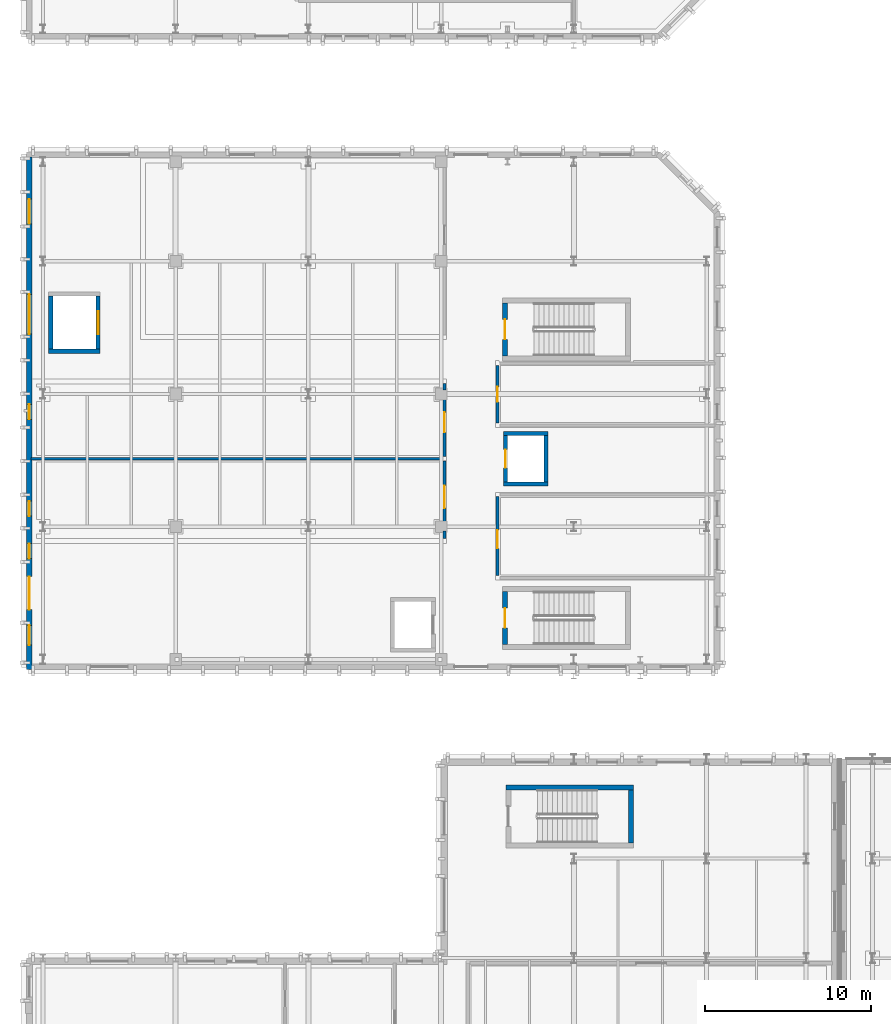
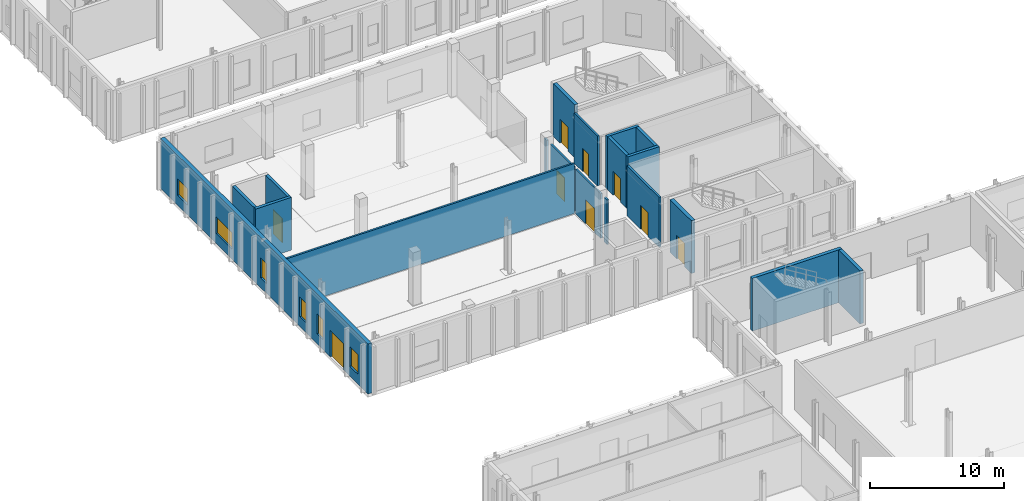
# One storey, part 24 of 60: 19 walls, 9 doors, 6 windows, 15 openings.
"""IFC4 building model written with IfcOpenShell, lengths in metres."""

from ifc_helpers import new_model, si_unit, direction, frame, frame_2d, origin, place, context, subcontext, project, spatial, rectangle, extrude, material, layer, layer_set, type_object, element, fill, save


model = new_model("IFC4")

# Units and contexts
model_context = context("Model", 3, precision=1e-05, world=origin(), true_north=direction((0.0, 1.0)))
body_context = subcontext(model_context, "Body", "Model", "MODEL_VIEW")
ifc_project = project(units=[si_unit("LENGTHUNIT", "METRE"), si_unit("AREAUNIT", "SQUARE_METRE"), si_unit("VOLUMEUNIT", "CUBIC_METRE"), si_unit("PLANEANGLEUNIT", "RADIAN"), si_unit("MASSUNIT", "GRAM", prefix="KILO")], contexts=[model_context])

# Site, building, storey
site_placement = place(None, origin())
site = spatial("IfcSite", under=ifc_project, at=site_placement, CompositionType="ELEMENT")
building_placement = place(site_placement, origin())
building = spatial("IfcBuilding", under=site, at=building_placement, Name="Cymarion Research Institute", CompositionType="ELEMENT")
storey_placement = place(building_placement, origin())
storey = spatial("IfcBuildingStorey", under=building, at=storey_placement, Name="L00", CompositionType="ELEMENT", Elevation=0.0)

# Wall, openings, door, windows
ifc_material_1 = material(Name="Precast concrete C40/50", Category="concrete")
ifc_layer_1 = layer(ifc_material_1, 0.340087890625)
ifc_layer_set_1 = layer_set([ifc_layer_1], Name="Precast concrete C40/50")
wall_type_1 = type_object("IfcWallType", Name="EXTERIOR WALL EW-PC340 340MM", PredefinedType="SOLIDWALL", material=ifc_layer_set_1)
wall_1_placement = place(storey_placement, frame((5.77001953125, 77.778076171875, 0.0), z_axis=(0.0, 0.0, 1.0), x_axis=(0.0, -1.0, 0.0)))
wall_1 = element("IfcWall", 1, at=wall_1_placement, inside=storey, type_object=wall_type_1, Name="L00 V4 exterior wall EW-PC340 #69", PredefinedType="SOLIDWALL", context=body_context, shape_type="SweptSolid", body=[
    extrude(rectangle(XDim=30.878173828125, YDim=0.340087890625, at=frame_2d((15.43896484375, 0.0))), origin(), (0.0, 0.0, 1.0), 4.550048828125),
])
opening_1_placement = place(wall_1_placement, frame((25.278076171875, 0.0, 0.0)))
opening_1 = element("IfcOpeningElement", 2, at=opening_1_placement, cuts=wall_1, Name="Opening D-EX12", PredefinedType="OPENING", context=body_context, shape_type="SweptSolid", body=[
    extrude(rectangle(XDim=2.0, YDim=2.39990234375, at=frame_2d((1.0, 1.199951171875))), frame((0.0, 0.179931640625, 0.0), z_axis=(0.0, -1.0, 0.0), x_axis=(1.0, 0.0, 0.0)), (0.0, 0.0, 1.0), 0.360107421875),
])
opening_2_placement = place(wall_1_placement, frame((2.528076171875, 0.0, 0.89990234375)))
opening_2 = element("IfcOpeningElement", 3, at=opening_2_placement, cuts=wall_1, Name="Opening W16", PredefinedType="OPENING", context=body_context, shape_type="SweptSolid", body=[
    extrude(rectangle(XDim=1.5, YDim=1.5, at=frame_2d((0.75, 0.75))), frame((0.0, 0.179931640625, 0.0), z_axis=(0.0, -1.0, 0.0), x_axis=(1.0, 0.0, 0.0)), (0.0, 0.0, 1.0), 0.360107421875),
])
opening_3_placement = place(wall_1_placement, frame((8.27294921875, 0.0, 0.89990234375)))
opening_3 = element("IfcOpeningElement", 4, at=opening_3_placement, cuts=wall_1, Name="Opening W18", PredefinedType="OPENING", context=body_context, shape_type="SweptSolid", body=[
    extrude(rectangle(XDim=2.39990234375, YDim=1.5, at=frame_2d((1.199951171875, 0.75))), frame((0.0, 0.179931640625, 0.0), z_axis=(0.0, -1.0, 0.0), x_axis=(1.0, 0.0, 0.0)), (0.0, 0.0, 1.0), 0.360107421875),
])
opening_4_placement = place(wall_1_placement, frame((14.89794921875, 0.0, 0.89990234375)))
opening_4 = element("IfcOpeningElement", 5, at=opening_4_placement, cuts=wall_1, Name="Opening W24", PredefinedType="OPENING", context=body_context, shape_type="SweptSolid", body=[
    extrude(rectangle(XDim=0.89990234375, YDim=1.800048828125, at=frame_2d((0.449951171875, 0.89990234375))), frame((0.0, 0.179931640625, 0.0), z_axis=(0.0, -1.0, 0.0), x_axis=(1.0, 0.0, 0.0)), (0.0, 0.0, 1.0), 0.360107421875),
])
opening_5_placement = place(wall_1_placement, frame((20.73291015625, 0.0, 0.89990234375)))
opening_5 = element("IfcOpeningElement", 6, at=opening_5_placement, cuts=wall_1, Name="Opening W24", PredefinedType="OPENING", context=body_context, shape_type="SweptSolid", body=[
    extrude(rectangle(XDim=0.89990234375, YDim=1.800048828125, at=frame_2d((0.449951171875, 0.89990234375))), frame((0.0, 0.179931640625, 0.0), z_axis=(0.0, -1.0, 0.0), x_axis=(1.0, 0.0, 0.0)), (0.0, 0.0, 1.0), 0.360107421875),
])
opening_6_placement = place(wall_1_placement, frame((23.29296875, 0.0, 0.89990234375)))
opening_6 = element("IfcOpeningElement", 7, at=opening_6_placement, cuts=wall_1, Name="Opening W24", PredefinedType="OPENING", context=body_context, shape_type="SweptSolid", body=[
    extrude(rectangle(XDim=0.89990234375, YDim=1.800048828125, at=frame_2d((0.449951171875, 0.89990234375))), frame((0.0, 0.179931640625, 0.0), z_axis=(0.0, -1.0, 0.0), x_axis=(1.0, 0.0, 0.0)), (0.0, 0.0, 1.0), 0.360107421875),
])
opening_7_placement = place(wall_1_placement, frame((28.212890625, 0.0, 0.89990234375)))
opening_7 = element("IfcOpeningElement", 8, at=opening_7_placement, cuts=wall_1, Name="Opening W01", PredefinedType="OPENING", context=body_context, shape_type="SweptSolid", body=[
    extrude(rectangle(XDim=1.199951171875, YDim=1.800048828125, at=frame_2d((0.60009765625, 0.89990234375))), frame((0.0, 0.179931640625, 0.0), z_axis=(0.0, -1.0, 0.0), x_axis=(1.0, 0.0, 0.0)), (0.0, 0.0, 1.0), 0.360107421875),
])
ifc_material_2 = material(Name="Thermally broken anodised aluminium glazed door", Category="aluminium")
door_type_1 = type_object("IfcDoorType", Name="GLAZED ALUMINIUM DOUBLE EXIT DOOR DT-EX200 2000X2400", OperationType="DOUBLE_DOOR_SINGLE_SWING", PredefinedType="DOOR", material=ifc_material_2)
door_1_placement = place(opening_1_placement, frame((2.0, 0.0, 0.0), z_axis=(0.0, 0.0, 1.0), x_axis=(-1.0, 0.0, 0.0)))
door_1 = element("IfcDoor", 9, at=door_1_placement, inside=storey, type_object=door_type_1, Name="L00 V4 Final Exit Door D-EX12", OperationType="DOUBLE_DOOR_SINGLE_SWING", OverallHeight=2.39990234375, OverallWidth=2.0, PredefinedType="DOOR", context=body_context, shape_type="SweptSolid", body=[
    extrude(rectangle(XDim=2.0, YDim=2.39990234375, at=frame_2d((1.0, 1.199951171875))), frame((0.0, 0.02490234375, 0.0), z_axis=(0.0, -1.0, 0.0), x_axis=(1.0, 0.0, 0.0)), (0.0, 0.0, 1.0), 0.050048828125),
])
fill(opening_1, door_1)
ifc_material_3 = material(Name="Thermally broken aluminium window with Low-E glazing", Category="aluminium")
window_type_1 = type_object("IfcWindowType", Name="THERMALLY BROKEN ALUMINIUM WINDOW W01 1200X1800", PartitioningType="SINGLE_PANEL", PredefinedType="WINDOW", material=ifc_material_3)
window_1_placement = place(opening_7_placement, origin())
window_1 = element("IfcWindow", 10, at=window_1_placement, inside=storey, type_object=window_type_1, Name="L00 V4 facade window W01 #118", OverallHeight=1.800048828125, OverallWidth=1.199951171875, PartitioningType="SINGLE_PANEL", PredefinedType="WINDOW", context=body_context, shape_type="SweptSolid", body=[
    extrude(rectangle(XDim=1.199951171875, YDim=1.800048828125, at=frame_2d((0.60009765625, 0.89990234375))), frame((0.0, 0.030029296875, 0.0), z_axis=(0.0, -1.0, 0.0), x_axis=(1.0, 0.0, 0.0)), (0.0, 0.0, 1.0), 0.06005859375),
])
fill(opening_7, window_1)
window_type_2 = type_object("IfcWindowType", Name="THERMALLY BROKEN ALUMINIUM WINDOW W16 1500X1500", PartitioningType="DOUBLE_PANEL_HORIZONTAL", PredefinedType="WINDOW", material=ifc_material_3)
window_2_placement = place(opening_2_placement, origin())
window_2 = element("IfcWindow", 11, at=window_2_placement, inside=storey, type_object=window_type_2, Name="L00 V4 facade window W16 #113", OverallHeight=1.5, OverallWidth=1.5, PartitioningType="SINGLE_PANEL", PredefinedType="WINDOW", context=body_context, shape_type="SweptSolid", body=[
    extrude(rectangle(XDim=1.5, YDim=1.5, at=frame_2d((0.75, 0.75))), frame((0.0, 0.030029296875, 0.0), z_axis=(0.0, -1.0, 0.0), x_axis=(1.0, 0.0, 0.0)), (0.0, 0.0, 1.0), 0.06005859375),
])
fill(opening_2, window_2)
window_type_3 = type_object("IfcWindowType", Name="THERMALLY BROKEN ALUMINIUM WINDOW W18 2400X1500", PartitioningType="TRIPLE_PANEL_HORIZONTAL", PredefinedType="WINDOW", material=ifc_material_3)
window_3_placement = place(opening_3_placement, origin())
window_3 = element("IfcWindow", 12, at=window_3_placement, inside=storey, type_object=window_type_3, Name="L00 V4 facade window W18 #114", OverallHeight=1.5, OverallWidth=2.39990234375, PartitioningType="SINGLE_PANEL", PredefinedType="WINDOW", context=body_context, shape_type="SweptSolid", body=[
    extrude(rectangle(XDim=2.39990234375, YDim=1.5, at=frame_2d((1.199951171875, 0.75))), frame((0.0, 0.030029296875, 0.0), z_axis=(0.0, -1.0, 0.0), x_axis=(1.0, 0.0, 0.0)), (0.0, 0.0, 1.0), 0.06005859375),
])
fill(opening_3, window_3)
window_type_4 = type_object("IfcWindowType", Name="THERMALLY BROKEN ALUMINIUM WINDOW W24 900X1800", PartitioningType="SINGLE_PANEL", PredefinedType="WINDOW", material=ifc_material_3)
window_4_placement = place(opening_4_placement, origin())
window_4 = element("IfcWindow", 13, at=window_4_placement, inside=storey, type_object=window_type_4, Name="L00 V4 facade window W24 #115", OverallHeight=1.800048828125, OverallWidth=0.89990234375, PartitioningType="SINGLE_PANEL", PredefinedType="WINDOW", context=body_context, shape_type="SweptSolid", body=[
    extrude(rectangle(XDim=0.89990234375, YDim=1.800048828125, at=frame_2d((0.449951171875, 0.89990234375))), frame((0.0, 0.030029296875, 0.0), z_axis=(0.0, -1.0, 0.0), x_axis=(1.0, 0.0, 0.0)), (0.0, 0.0, 1.0), 0.06005859375),
])
fill(opening_4, window_4)
window_5_placement = place(opening_5_placement, origin())
window_5 = element("IfcWindow", 14, at=window_5_placement, inside=storey, type_object=window_type_4, Name="L00 V4 facade window W24 #116", OverallHeight=1.800048828125, OverallWidth=0.89990234375, PartitioningType="SINGLE_PANEL", PredefinedType="WINDOW", context=body_context, shape_type="SweptSolid", body=[
    extrude(rectangle(XDim=0.89990234375, YDim=1.800048828125, at=frame_2d((0.449951171875, 0.89990234375))), frame((0.0, 0.030029296875, 0.0), z_axis=(0.0, -1.0, 0.0), x_axis=(1.0, 0.0, 0.0)), (0.0, 0.0, 1.0), 0.06005859375),
])
fill(opening_5, window_5)
window_6_placement = place(opening_6_placement, origin())
window_6 = element("IfcWindow", 15, at=window_6_placement, inside=storey, type_object=window_type_4, Name="L00 V4 facade window W24 #117", OverallHeight=1.800048828125, OverallWidth=0.89990234375, PartitioningType="SINGLE_PANEL", PredefinedType="WINDOW", context=body_context, shape_type="SweptSolid", body=[
    extrude(rectangle(XDim=0.89990234375, YDim=1.800048828125, at=frame_2d((0.449951171875, 0.89990234375))), frame((0.0, 0.030029296875, 0.0), z_axis=(0.0, -1.0, 0.0), x_axis=(1.0, 0.0, 0.0)), (0.0, 0.0, 1.0), 0.06005859375),
])
fill(opening_6, window_6)

# Walls
ifc_material_4 = material(Name="ISO cleanroom modular flush panel wall", Category="metal")
ifc_layer_2 = layer(ifc_material_4, 0.159912109375)
ifc_layer_set_2 = layer_set([ifc_layer_2], Name="ISO cleanroom modular flush panel wall")
wall_type_2 = type_object("IfcWallType", Name="INTERIOR PARTITION IW-CL160 160MM", PredefinedType="PARTITIONING", material=ifc_layer_set_2)
wall_2_placement = place(storey_placement, frame((5.885009765625, 59.60009765625, 0.0), z_axis=(0.0, 0.0, 1.0), x_axis=(1.0, 0.0, 0.0)))
element("IfcWall", 16, at=wall_2_placement, inside=storey, type_object=wall_type_2, Name="L00 V4 interior partition IW-CL160 #80", PredefinedType="PARTITIONING", context=body_context, shape_type="SweptSolid", body=[
    extrude(rectangle(XDim=24.764892578125, YDim=0.159912109375, at=frame_2d((12.38232421875, 0.0))), origin(), (0.0, 0.0, 1.0), 4.550048828125),
])
wall_3_placement = place(storey_placement, frame((30.800048828125, 54.800048828125, 0.0), z_axis=(0.0, 0.0, 1.0), x_axis=(0.0, 1.0, 0.0)))
element("IfcWall", 17, at=wall_3_placement, inside=storey, type_object=wall_type_2, Name="L00 V4 interior partition IW-CL160 #81", PredefinedType="PARTITIONING", context=body_context, shape_type="SweptSolid", body=[
    extrude(rectangle(XDim=0.449951171875, YDim=0.159912109375, at=frame_2d((0.22509765625, 0.0))), origin(), (0.0, 0.0, 1.0), 4.050048828125),
])

# Wall, opening, door
wall_4_placement = place(storey_placement, frame((30.800048828125, 55.75, 0.0), z_axis=(0.0, 0.0, 1.0), x_axis=(0.0, 1.0, 0.0)))
wall_4 = element("IfcWall", 18, at=wall_4_placement, inside=storey, type_object=wall_type_2, Name="L00 V4 interior partition IW-CL160 #82", PredefinedType="PARTITIONING", context=body_context, shape_type="SweptSolid", body=[
    extrude(rectangle(XDim=3.699951171875, YDim=0.159912109375, at=frame_2d((1.85009765625, 0.0))), origin(), (0.0, 0.0, 1.0), 4.050048828125),
])
opening_8_placement = place(wall_4_placement, frame((0.873046875, 0.0, 0.0)))
opening_8 = element("IfcOpeningElement", 19, at=opening_8_placement, cuts=wall_4, Name="Opening D-L00-059", PredefinedType="OPENING", context=body_context, shape_type="SweptSolid", body=[
    extrude(rectangle(XDim=1.35009765625, YDim=2.14990234375, at=frame_2d((0.675048828125, 1.074951171875))), frame((0.0, 0.08984375, 0.0), z_axis=(0.0, -1.0, 0.0), x_axis=(1.0, 0.0, 0.0)), (0.0, 0.0, 1.0), 0.179931640625),
])
ifc_material_5 = material(Name="Flush acoustic timber/steel door assembly", Category="steel")
door_type_2 = type_object("IfcDoorType", Name="CLEANROOM GOWNING DOOR DT-CL135 1350X2150", OperationType="NOTDEFINED", PredefinedType="DOOR", material=ifc_material_5)
door_2_placement = place(opening_8_placement, origin())
door_2 = element("IfcDoor", 20, at=door_2_placement, inside=storey, type_object=door_type_2, Name="L00 Gowning Airlock door D-L00-059", OperationType="SINGLE_SWING_RIGHT", OverallHeight=2.14990234375, OverallWidth=1.35009765625, PredefinedType="DOOR", context=body_context, shape_type="SweptSolid", body=[
    extrude(rectangle(XDim=1.35009765625, YDim=2.14990234375, at=frame_2d((0.675048828125, 1.074951171875))), frame((0.0, 0.02490234375, 0.0), z_axis=(0.0, -1.0, 0.0), x_axis=(1.0, 0.0, 0.0)), (0.0, 0.0, 1.0), 0.050048828125),
])
fill(opening_8, door_2)

wall_5_placement = place(storey_placement, frame((30.800048828125, 59.75, 0.0), z_axis=(0.0, 0.0, 1.0), x_axis=(0.0, 1.0, 0.0)))
wall_5 = element("IfcWall", 21, at=wall_5_placement, inside=storey, type_object=wall_type_2, Name="L00 V4 interior partition IW-CL160 #83", PredefinedType="PARTITIONING", context=body_context, shape_type="SweptSolid", body=[
    extrude(rectangle(XDim=3.5, YDim=0.159912109375, at=frame_2d((1.75, 0.0))), origin(), (0.0, 0.0, 1.0), 4.050048828125),
])
opening_9_placement = place(wall_5_placement, frame((1.446044921875, 0.0, 0.0)))
opening_9 = element("IfcOpeningElement", 22, at=opening_9_placement, cuts=wall_5, Name="Opening D-L00-060", PredefinedType="OPENING", context=body_context, shape_type="SweptSolid", body=[
    extrude(rectangle(XDim=1.199951171875, YDim=2.14990234375, at=frame_2d((0.60009765625, 1.074951171875))), frame((0.0, 0.08984375, 0.0), z_axis=(0.0, -1.0, 0.0), x_axis=(1.0, 0.0, 0.0)), (0.0, 0.0, 1.0), 0.179931640625),
])
door_type_3 = type_object("IfcDoorType", Name="CLEANROOM AIRLOCK INTERLOCK DOOR DT-CL120 1200X2150", OperationType="NOTDEFINED", PredefinedType="DOOR", material=ifc_material_5)
door_3_placement = place(opening_9_placement, origin())
door_3 = element("IfcDoor", 23, at=door_3_placement, inside=storey, type_object=door_type_3, Name="L00 Cleanroom Bay door D-L00-060", OperationType="SINGLE_SWING_LEFT", OverallHeight=2.14990234375, OverallWidth=1.199951171875, PredefinedType="DOOR", context=body_context, shape_type="SweptSolid", body=[
    extrude(rectangle(XDim=1.199951171875, YDim=2.14990234375, at=frame_2d((0.60009765625, 1.074951171875))), frame((0.0, 0.02490234375, 0.0), z_axis=(0.0, -1.0, 0.0), x_axis=(1.0, 0.0, 0.0)), (0.0, 0.0, 1.0), 0.050048828125),
])
fill(opening_9, door_3)

# Wall
wall_6_placement = place(storey_placement, frame((30.800048828125, 63.75, 0.0), z_axis=(0.0, 0.0, 1.0), x_axis=(0.0, 1.0, 0.0)))
element("IfcWall", 24, at=wall_6_placement, inside=storey, type_object=wall_type_2, Name="L00 V4 interior partition IW-CL160 #84", PredefinedType="PARTITIONING", context=body_context, shape_type="SweptSolid", body=[
    extrude(rectangle(XDim=0.39990234375, YDim=0.159912109375, at=frame_2d((0.199951171875, 0.0))), origin(), (0.0, 0.0, 1.0), 4.050048828125),
])

# Wall, opening, door
ifc_material_6 = material(Name="Moisture-resistant laboratory partition", Category="gypsum")
ifc_layer_3 = layer(ifc_material_6, 0.179931640625)
ifc_layer_set_3 = layer_set([ifc_layer_3], Name="Moisture-resistant laboratory partition")
wall_type_3 = type_object("IfcWallType", Name="INTERIOR PARTITION IW-LB180 180MM", PredefinedType="PARTITIONING", material=ifc_layer_set_3)
wall_7_placement = place(storey_placement, frame((34.0, 52.550048828125, 0.0), z_axis=(0.0, 0.0, 1.0), x_axis=(0.0, 1.0, 0.0)))
wall_7 = element("IfcWall", 25, at=wall_7_placement, inside=storey, type_object=wall_type_3, Name="L00 V4 interior partition IW-LB180 #91", PredefinedType="PARTITIONING", context=body_context, shape_type="SweptSolid", body=[
    extrude(rectangle(XDim=4.77001953125, YDim=0.179931640625, at=frame_2d((2.385009765625, 0.0))), origin(), (0.0, 0.0, 1.0), 4.550048828125),
])
opening_10_placement = place(wall_7_placement, frame((1.652099609375, 0.0, 0.0)))
opening_10 = element("IfcOpeningElement", 26, at=opening_10_placement, cuts=wall_7, Name="Opening D-L00-062", PredefinedType="OPENING", context=body_context, shape_type="SweptSolid", body=[
    extrude(rectangle(XDim=1.10009765625, YDim=2.14990234375, at=frame_2d((0.550048828125, 1.074951171875))), frame((0.0, 0.099853515625, 0.0), z_axis=(0.0, -1.0, 0.0), x_axis=(1.0, 0.0, 0.0)), (0.0, 0.0, 1.0), 0.199951171875),
])
door_type_4 = type_object("IfcDoorType", Name="LABORATORY WIDE SINGLE DOOR DT-LB110 1100X2150", OperationType="NOTDEFINED", PredefinedType="DOOR", material=ifc_material_5)
door_4_placement = place(opening_10_placement, origin())
door_4 = element("IfcDoor", 27, at=door_4_placement, inside=storey, type_object=door_type_4, Name="L00 East Lab Entry door D-L00-062", OperationType="SINGLE_SWING_LEFT", OverallHeight=2.14990234375, OverallWidth=1.10009765625, PredefinedType="DOOR", context=body_context, shape_type="SweptSolid", body=[
    extrude(rectangle(XDim=1.10009765625, YDim=2.14990234375, at=frame_2d((0.550048828125, 1.074951171875))), frame((0.0, 0.02490234375, 0.0), z_axis=(0.0, -1.0, 0.0), x_axis=(1.0, 0.0, 0.0)), (0.0, 0.0, 1.0), 0.050048828125),
])
fill(opening_10, door_4)

wall_8_placement = place(storey_placement, frame((34.0, 61.75, 0.0), z_axis=(0.0, 0.0, 1.0), x_axis=(0.0, 1.0, 0.0)))
wall_8 = element("IfcWall", 28, at=wall_8_placement, inside=storey, type_object=wall_type_3, Name="L00 V4 interior partition IW-LB180 #92", PredefinedType="PARTITIONING", context=body_context, shape_type="SweptSolid", body=[
    extrude(rectangle(XDim=3.469970703125, YDim=0.179931640625, at=frame_2d((1.73486328125, 0.0))), origin(), (0.0, 0.0, 1.0), 4.550048828125),
])
opening_11_placement = place(wall_8_placement, frame((1.284912109375, 0.0, 0.0)))
opening_11 = element("IfcOpeningElement", 29, at=opening_11_placement, cuts=wall_8, Name="Opening D-L00-063", PredefinedType="OPENING", context=body_context, shape_type="SweptSolid", body=[
    extrude(rectangle(XDim=0.89990234375, YDim=2.10009765625, at=frame_2d((0.449951171875, 1.050048828125))), frame((0.0, 0.099853515625, 0.0), z_axis=(0.0, -1.0, 0.0), x_axis=(1.0, 0.0, 0.0)), (0.0, 0.0, 1.0), 0.199951171875),
])
door_type_5 = type_object("IfcDoorType", Name="ACCESSIBLE RESTROOM DOOR DT-WC090 900X2100", OperationType="NOTDEFINED", PredefinedType="DOOR", material=ifc_material_5)
door_5_placement = place(opening_11_placement, origin())
door_5 = element("IfcDoor", 30, at=door_5_placement, inside=storey, type_object=door_type_5, Name="L00 East WC Entry door D-L00-063", OperationType="SINGLE_SWING_RIGHT", OverallHeight=2.10009765625, OverallWidth=0.89990234375, PredefinedType="DOOR", context=body_context, shape_type="SweptSolid", body=[
    extrude(rectangle(XDim=0.89990234375, YDim=2.10009765625, at=frame_2d((0.449951171875, 1.050048828125))), frame((0.0, 0.02490234375, 0.0), z_axis=(0.0, -1.0, 0.0), x_axis=(1.0, 0.0, 0.0)), (0.0, 0.0, 1.0), 0.050048828125),
])
fill(opening_11, door_5)

# Walls
ifc_material_7 = material(Name="Concrete C40/50", Category="concrete")
ifc_layer_4 = layer(ifc_material_7, 0.25)
ifc_layer_set_4 = layer_set([ifc_layer_4], Name="Concrete C40/50")
wall_type_4 = type_object("IfcWallType", Name="REINFORCED CONCRETE CORE WALL CW-SH250 250MM", PredefinedType="SHEAR", material=ifc_layer_set_4)
for number, where, z_axis, x_axis, name in (
    (31, (34.35009765625, 58.074951171875, 0.0), (0.0, 0.0, 1.0), (1.0, 0.0, 0.0), "L00 LSH-LP4-L00 south core wall"),
    (32, (37.050048828125, 61.125, 0.0), (0.0, 0.0, 1.0), (-1.0, 0.0, 0.0), "L00 LSH-LP4-L00 north core wall"),
):
    element("IfcWall", number, at=place(storey_placement, frame(where, z_axis=z_axis, x_axis=x_axis)), inside=storey, type_object=wall_type_4, Name=name, PredefinedType="SHEAR", context=body_context, shape_type="SweptSolid", body=[
        extrude(rectangle(XDim=2.699951171875, YDim=0.25, at=frame_2d((1.35009765625, 0.0))), origin(), (0.0, 0.0, 1.0), 4.800048828125),
    ])

# Wall, opening, door
wall_9_placement = place(storey_placement, frame((34.47509765625, 61.0, 0.0), z_axis=(0.0, 0.0, 1.0), x_axis=(0.0, -1.0, 0.0)))
wall_9 = element("IfcWall", 33, at=wall_9_placement, inside=storey, type_object=wall_type_4, Name="L00 LSH-LP4-L00 west core wall", PredefinedType="SHEAR", context=body_context, shape_type="SweptSolid", body=[
    extrude(rectangle(XDim=2.800048828125, YDim=0.25, at=frame_2d((1.39990234375, 0.0))), origin(), (0.0, 0.0, 1.0), 4.800048828125),
])
opening_12_placement = place(wall_9_placement, frame((0.85009765625, 0.0, 0.0)))
opening_12 = element("IfcOpeningElement", 34, at=opening_12_placement, cuts=wall_9, Name="Opening LD-LP4-L00", PredefinedType="OPENING", context=body_context, shape_type="SweptSolid", body=[
    extrude(rectangle(XDim=1.10009765625, YDim=2.14990234375, at=frame_2d((0.550048828125, 1.074951171875))), frame((0.0, 0.135009765625, 0.0), z_axis=(0.0, -1.0, 0.0), x_axis=(1.0, 0.0, 0.0)), (0.0, 0.0, 1.0), 0.27001953125),
])
ifc_material_8 = material(Name="Fire-rated insulated steel door assembly", Category="steel")
door_type_6 = type_object("IfcDoorType", Name="SLIDING LIFT LANDING DOOR DT-LD110 1100X2150", OperationType="DOUBLE_DOOR_SLIDING", PredefinedType="DOOR", material=ifc_material_8)
door_6_placement = place(opening_12_placement, origin())
door_6 = element("IfcDoor", 35, at=door_6_placement, inside=storey, type_object=door_type_6, Name="Lift LP4 landing door L00", OperationType="DOUBLE_DOOR_SLIDING", OverallHeight=2.14990234375, OverallWidth=1.10009765625, PredefinedType="DOOR", context=body_context, shape_type="SweptSolid", body=[
    extrude(rectangle(XDim=1.10009765625, YDim=2.14990234375, at=frame_2d((0.550048828125, 1.074951171875))), frame((0.0, 0.02490234375, 0.0), z_axis=(0.0, -1.0, 0.0), x_axis=(1.0, 0.0, 0.0)), (0.0, 0.0, 1.0), 0.050048828125),
])
fill(opening_12, door_6)

# Walls
wall_10_placement = place(storey_placement, frame((36.925048828125, 58.199951171875, 0.0), z_axis=(0.0, 0.0, 1.0), x_axis=(0.0, 1.0, 0.0)))
element("IfcWall", 36, at=wall_10_placement, inside=storey, type_object=wall_type_4, Name="L00 LSH-LP4-L00 east core wall", PredefinedType="SHEAR", context=body_context, shape_type="SweptSolid", body=[
    extrude(rectangle(XDim=2.800048828125, YDim=0.25, at=frame_2d((1.39990234375, 0.0))), origin(), (0.0, 0.0, 1.0), 4.800048828125),
])
wall_11_placement = place(storey_placement, frame((6.949951171875, 66.074951171875, 0.0), z_axis=(0.0, 0.0, 1.0), x_axis=(1.0, 0.0, 0.0)))
element("IfcWall", 37, at=wall_11_placement, inside=storey, type_object=wall_type_4, Name="L00 LSH-LG1-L00 south core wall", PredefinedType="SHEAR", context=body_context, shape_type="SweptSolid", body=[
    extrude(rectangle(XDim=3.10009765625, YDim=0.25, at=frame_2d((1.550048828125, 0.0))), origin(), (0.0, 0.0, 1.0), 4.800048828125),
])
wall_12_placement = place(storey_placement, frame((7.074951171875, 69.39990234375, 0.0), z_axis=(0.0, 0.0, 1.0), x_axis=(0.0, -1.0, 0.0)))
element("IfcWall", 38, at=wall_12_placement, inside=storey, type_object=wall_type_4, Name="L00 LSH-LG1-L00 west core wall", PredefinedType="SHEAR", context=body_context, shape_type="SweptSolid", body=[
    extrude(rectangle(XDim=3.199951171875, YDim=0.25, at=frame_2d((1.60009765625, 0.0))), origin(), (0.0, 0.0, 1.0), 4.800048828125),
])

# Wall, opening, door
wall_13_placement = place(storey_placement, frame((9.925048828125, 66.199951171875, 0.0), z_axis=(0.0, 0.0, 1.0), x_axis=(0.0, 1.0, 0.0)))
wall_13 = element("IfcWall", 39, at=wall_13_placement, inside=storey, type_object=wall_type_4, Name="L00 LSH-LG1-L00 east core wall", PredefinedType="SHEAR", context=body_context, shape_type="SweptSolid", body=[
    extrude(rectangle(XDim=3.199951171875, YDim=0.25, at=frame_2d((1.60009765625, 0.0))), origin(), (0.0, 0.0, 1.0), 4.800048828125),
])
opening_13_placement = place(wall_13_placement, frame((0.89990234375, 0.0, 0.0)))
opening_13 = element("IfcOpeningElement", 40, at=opening_13_placement, cuts=wall_13, Name="Opening LD-LG1-L00", PredefinedType="OPENING", context=body_context, shape_type="SweptSolid", body=[
    extrude(rectangle(XDim=1.39990234375, YDim=2.199951171875, at=frame_2d((0.699951171875, 1.10009765625))), frame((0.0, 0.135009765625, 0.0), z_axis=(0.0, -1.0, 0.0), x_axis=(1.0, 0.0, 0.0)), (0.0, 0.0, 1.0), 0.27001953125),
])
door_type_7 = type_object("IfcDoorType", Name="GOODS LIFT SLIDING LANDING DOOR DT-LD140 1400X2200", OperationType="DOUBLE_DOOR_SLIDING", PredefinedType="DOOR", material=ifc_material_8)
door_7_placement = place(opening_13_placement, origin())
door_7 = element("IfcDoor", 41, at=door_7_placement, inside=storey, type_object=door_type_7, Name="Lift LG1 landing door L00", OperationType="DOUBLE_DOOR_SLIDING", OverallHeight=2.199951171875, OverallWidth=1.39990234375, PredefinedType="DOOR", context=body_context, shape_type="SweptSolid", body=[
    extrude(rectangle(XDim=1.39990234375, YDim=2.199951171875, at=frame_2d((0.699951171875, 1.10009765625))), frame((0.0, 0.02490234375, 0.0), z_axis=(0.0, -1.0, 0.0), x_axis=(1.0, 0.0, 0.0)), (0.0, 0.0, 1.0), 0.050048828125),
])
fill(opening_13, door_7)

# Walls
ifc_layer_5 = layer(ifc_material_7, 0.300048828125)
ifc_layer_set_5 = layer_set([ifc_layer_5], Name="Concrete C40/50")
wall_type_5 = type_object("IfcWallType", Name="REINFORCED CONCRETE CORE WALL CW-SH300 300MM", PredefinedType="SHEAR", material=ifc_layer_set_5)
wall_14_placement = place(storey_placement, frame((42.199951171875, 39.800048828125, 0.0), z_axis=(0.0, 0.0, 1.0), x_axis=(-1.0, 0.0, 0.0)))
element("IfcWall", 42, at=wall_14_placement, inside=storey, type_object=wall_type_5, Name="L00 SHW-C6-L00 north core wall", PredefinedType="SHEAR", context=body_context, shape_type="SweptSolid", body=[
    extrude(rectangle(XDim=7.699951171875, YDim=0.300048828125, at=frame_2d((3.85009765625, 0.0))), origin(), (0.0, 0.0, 1.0), 4.800048828125),
])
wall_15_placement = place(storey_placement, frame((42.050048828125, 36.449951171875, 0.0), z_axis=(0.0, 0.0, 1.0), x_axis=(0.0, 1.0, 0.0)))
element("IfcWall", 43, at=wall_15_placement, inside=storey, type_object=wall_type_5, Name="L00 SHW-C6-L00 east core wall", PredefinedType="SHEAR", context=body_context, shape_type="SweptSolid", body=[
    extrude(rectangle(XDim=3.199951171875, YDim=0.300048828125, at=frame_2d((1.60009765625, 0.0))), origin(), (0.0, 0.0, 1.0), 4.800048828125),
])

# Wall, opening, door
wall_16_placement = place(storey_placement, frame((34.449951171875, 51.60009765625, 0.0), z_axis=(0.0, 0.0, 1.0), x_axis=(0.0, -1.0, 0.0)))
wall_16 = element("IfcWall", 44, at=wall_16_placement, inside=storey, type_object=wall_type_5, Name="L00 SHW-C7-L00 west core wall", PredefinedType="SHEAR", context=body_context, shape_type="SweptSolid", body=[
    extrude(rectangle(XDim=3.2001953125, YDim=0.300048828125, at=frame_2d((1.60009765625, 0.0))), origin(), (0.0, 0.0, 1.0), 4.800048828125),
])
opening_14_placement = place(wall_16_placement, frame((1.0, 0.0, 0.0)))
opening_14 = element("IfcOpeningElement", 45, at=opening_14_placement, cuts=wall_16, Name="Opening FD-L00-ST7", PredefinedType="OPENING", context=body_context, shape_type="SweptSolid", body=[
    extrude(rectangle(XDim=1.199951171875, YDim=2.14990234375, at=frame_2d((0.60009765625, 1.074951171875))), frame((0.0, 0.159912109375, 0.0), z_axis=(0.0, -1.0, 0.0), x_axis=(1.0, 0.0, 0.0)), (0.0, 0.0, 1.0), 0.320068359375),
])
door_type_8 = type_object("IfcDoorType", Name="SMOKE PROOF STAIR FIRE DOOR DT-ST120 1200X2150", OperationType="NOTDEFINED", PredefinedType="DOOR", material=ifc_material_8)
door_8_placement = place(opening_14_placement, frame((1.199951171875, 0.0, 0.0), z_axis=(0.0, 0.0, 1.0), x_axis=(-1.0, 0.0, 0.0)))
door_8 = element("IfcDoor", 46, at=door_8_placement, inside=storey, type_object=door_type_8, Name="L00 ST7 smoke-proof stair door FD-L00-ST7", OperationType="SINGLE_SWING_RIGHT", OverallHeight=2.14990234375, OverallWidth=1.199951171875, PredefinedType="DOOR", context=body_context, shape_type="SweptSolid", body=[
    extrude(rectangle(XDim=1.199951171875, YDim=2.14990234375, at=frame_2d((0.60009765625, 1.074951171875))), frame((0.0, 0.02490234375, 0.0), z_axis=(0.0, -1.0, 0.0), x_axis=(1.0, 0.0, 0.0)), (0.0, 0.0, 1.0), 0.050048828125),
])
fill(opening_14, door_8)

wall_17_placement = place(storey_placement, frame((34.449951171875, 69.0, 0.0), z_axis=(0.0, 0.0, 1.0), x_axis=(0.0, -1.0, 0.0)))
wall_17 = element("IfcWall", 47, at=wall_17_placement, inside=storey, type_object=wall_type_5, Name="L00 SHW-C8-L00 west core wall", PredefinedType="SHEAR", context=body_context, shape_type="SweptSolid", body=[
    extrude(rectangle(XDim=3.199951171875, YDim=0.300048828125, at=frame_2d((1.60009765625, 0.0))), origin(), (0.0, 0.0, 1.0), 4.800048828125),
])
opening_15_placement = place(wall_17_placement, frame((1.0, 0.0, 0.0)))
opening_15 = element("IfcOpeningElement", 48, at=opening_15_placement, cuts=wall_17, Name="Opening FD-L00-ST8", PredefinedType="OPENING", context=body_context, shape_type="SweptSolid", body=[
    extrude(rectangle(XDim=1.199951171875, YDim=2.14990234375, at=frame_2d((0.60009765625, 1.074951171875))), frame((0.0, 0.159912109375, 0.0), z_axis=(0.0, -1.0, 0.0), x_axis=(1.0, 0.0, 0.0)), (0.0, 0.0, 1.0), 0.320068359375),
])
door_9_placement = place(opening_15_placement, frame((1.199951171875, 0.0, 0.0), z_axis=(0.0, 0.0, 1.0), x_axis=(-1.0, 0.0, 0.0)))
door_9 = element("IfcDoor", 49, at=door_9_placement, inside=storey, type_object=door_type_8, Name="L00 ST8 smoke-proof stair door FD-L00-ST8", OperationType="SINGLE_SWING_LEFT", OverallHeight=2.14990234375, OverallWidth=1.199951171875, PredefinedType="DOOR", context=body_context, shape_type="SweptSolid", body=[
    extrude(rectangle(XDim=1.199951171875, YDim=2.14990234375, at=frame_2d((0.60009765625, 1.074951171875))), frame((0.0, 0.02490234375, 0.0), z_axis=(0.0, -1.0, 0.0), x_axis=(1.0, 0.0, 0.0)), (0.0, 0.0, 1.0), 0.050048828125),
])
fill(opening_15, door_9)

save(model, "model.ifc")
